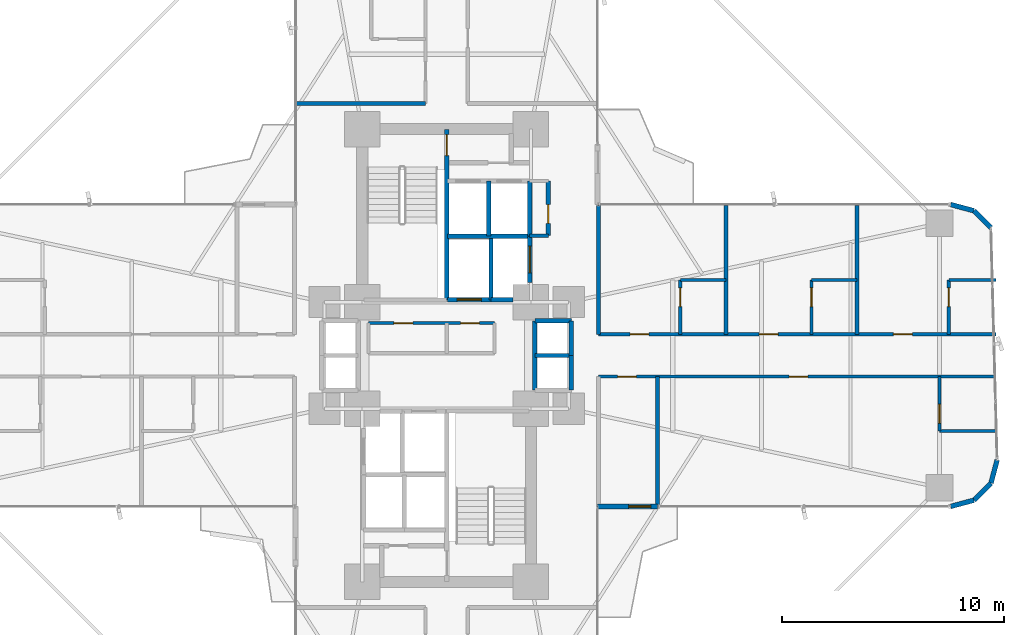
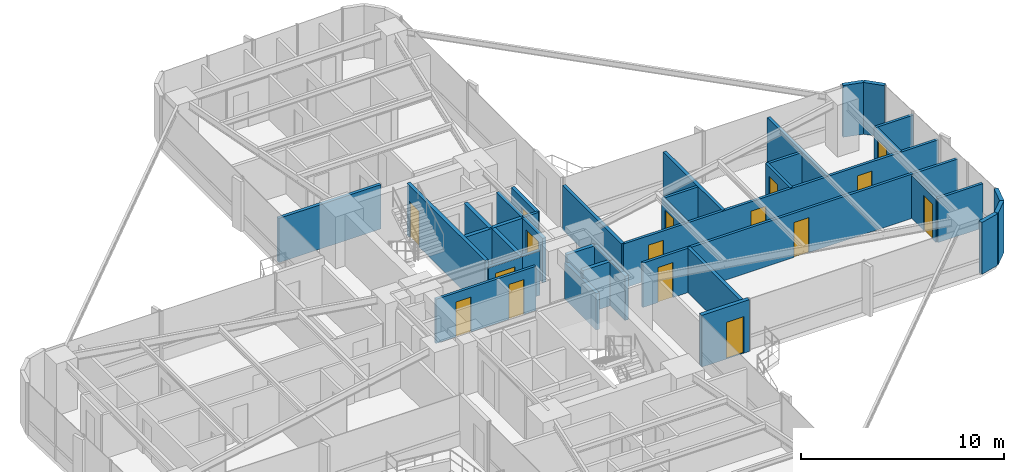
# One storey, part 23 of 26: 37 walls, 16 doors, 16 openings.
"""IFC4 building model written with IfcOpenShell, lengths in metres."""

from ifc_helpers import new_model, si_unit, direction, frame, frame_2d, origin, origin_2d, place, context, subcontext, project, spatial, rectangle, extrude, source, transform, mapped, material, layer, layer_set, type_object, element, fill, save


model = new_model("IFC4")

# Units and contexts
model_context = context("Model", 3, precision=1e-05, world=origin(), true_north=direction((0.0, 1.0)))
body_context = subcontext(model_context, "Body", "Model", "MODEL_VIEW")
ifc_project = project(units=[si_unit("LENGTHUNIT", "METRE"), si_unit("AREAUNIT", "SQUARE_METRE"), si_unit("VOLUMEUNIT", "CUBIC_METRE"), si_unit("PLANEANGLEUNIT", "RADIAN"), si_unit("MASSUNIT", "GRAM", prefix="KILO")], contexts=[model_context])

# Site, building, storey
site_placement = place(None, origin())
site = spatial("IfcSite", under=ifc_project, at=site_placement, CompositionType="ELEMENT")
building_placement = place(site_placement, origin())
building = spatial("IfcBuilding", under=site, at=building_placement, Name="Sahyath Konkavel Grand Hotel", CompositionType="ELEMENT")
storey_placement = place(building_placement, frame((0.0, 0.0, 26.449951171875)))
storey = spatial("IfcBuildingStorey", under=building, at=storey_placement, Name="L06", CompositionType="ELEMENT", Elevation=26.449951171875)

# Wall, opening, door
ifc_material_1 = material(Name="Warm Buff Sandstone Insulated Concrete C40/50", Category="masonry")
ifc_layer_1 = layer(ifc_material_1, 0.219970703125)
ifc_layer_set_1 = layer_set([ifc_layer_1], Name="Warm Buff Sandstone Insulated Concrete C40/50")
wall_type_1 = type_object("IfcWallType", Name="WLL-BALC-THRESH", PredefinedType="STANDARD", material=ifc_layer_set_1)
wall_1_placement = place(storey_placement, frame((6.800048828125, -6.800048828125, 0.0), z_axis=(0.0, 0.0, 1.0), x_axis=(1.0, 0.0, 0.0)))
wall_1 = element("IfcWall", 1, at=wall_1_placement, inside=storey, type_object=wall_type_1, Name="L06 Winter-Garden Threshold Wall 0", PredefinedType="STANDARD", context=body_context, shape_type="SweptSolid", body=[
    extrude(rectangle(XDim=2.699951171875, YDim=0.219970703125, at=frame_2d((1.35009765625, 0.0))), origin(), (0.0, 0.0, 1.0), 3.110107421875),
])
opening_1_placement = place(wall_1_placement, frame((1.39990234375, 0.0, 0.0)))
opening_1 = element("IfcOpeningElement", 2, at=opening_1_placement, cuts=wall_1, Name="Opening D-TR1", PredefinedType="OPENING", context=body_context, shape_type="SweptSolid", body=[
    extrude(rectangle(XDim=1.0, YDim=2.199951171875, at=frame_2d((0.5, 1.10009765625))), frame((0.0, 0.1201171875, 0.0), z_axis=(0.0, -1.0, 0.0), x_axis=(1.0, 0.0, 0.0)), (0.0, 0.0, 1.0), 0.239990234375),
])
ifc_material_2 = material(Name="Anodised Bronze Aluminium & Low-E Glazing", Category="aluminium")
door_type_1 = type_object("IfcDoorType", Name="DR-TERRACE-1000", OperationType="NOTDEFINED", PredefinedType="DOOR", material=ifc_material_2)
shared_shape_1 = source(origin(), body_context, "Body", "SweptSolid", [
    extrude(rectangle(XDim=1.0, YDim=0.050048828125, at=origin_2d()), origin(), (0.0, 0.0, 1.0), 2.199951171875),
])
door_1_placement = place(opening_1_placement, frame((0.5, 0.0, 0.0)))
door_1 = element("IfcDoor", 3, at=door_1_placement, inside=storey, type_object=door_type_1, Name="L06 Winter-Garden Terrace Door 0", OperationType="SINGLE_SWING_LEFT", OverallHeight=2.199951171875, OverallWidth=1.0, PredefinedType="DOOR", context=body_context, shape_type="MappedRepresentation", body=[
    mapped(shared_shape_1, transform((0.0, 0.0, 0.0), scale=1.0)),
])
fill(opening_1, door_1)

# Walls
for number, where, z_axis, x_axis, name in (
    (4, (22.699951171875, -6.800048828125, 0.0), (0.0, 0.0, 1.0), (0.965951058412, 0.25872485917, 0.0), "L06 Rounded Corner Sandstone Pier 1"),
    (5, (23.75, -6.518798828125, 0.0), (0.0, 0.0, 1.0), (0.707106781187, 0.707106781187, 0.0), "L06 Rounded Corner Sandstone Pier 2"),
    (6, (24.518798828125, -5.75, 0.0), (0.0, 0.0, 1.0), (0.25872485917, 0.965951058412, 0.0), "L06 Rounded Corner Sandstone Pier 3"),
    (7, (24.518798828125, 5.75, 0.0), (0.0, 0.0, 1.0), (-0.707106781187, 0.707106781187, 0.0), "L06 Rounded Corner Sandstone Pier 5"),
    (8, (23.75, 6.518798828125, 0.0), (0.0, 0.0, 1.0), (-0.965951058412, 0.25872485917, 0.0), "L06 Rounded Corner Sandstone Pier 6"),
):
    element("IfcWall", number, at=place(storey_placement, frame(where, z_axis=z_axis, x_axis=x_axis)), inside=storey, type_object=wall_type_1, Name=name, PredefinedType="STANDARD", context=body_context, shape_type="SweptSolid", body=[
        extrude(rectangle(XDim=1.087158203125, YDim=0.219970703125, at=frame_2d((0.54345703125, 0.0))), origin(), (0.0, 0.0, 1.0), 3.110107421875),
    ])

# Wall, opening, door
ifc_material_3 = material(Name="Concrete C40/50", Category="concrete")
ifc_layer_2 = layer(ifc_material_3, 0.199951171875)
ifc_layer_set_2 = layer_set([ifc_layer_2], Name="Concrete C40/50")
wall_type_2 = type_object("IfcWallType", Name="WLL-CORE-200", PredefinedType="SOLIDWALL", material=ifc_layer_set_2)
wall_2_placement = place(storey_placement, frame((0.0, 2.5, 0.0), z_axis=(0.0, 0.0, 1.0), x_axis=(0.0, 1.0, 0.0)))
wall_2 = element("IfcWall", 9, at=wall_2_placement, inside=storey, type_object=wall_type_2, Name="L06 Stair ST-1 Shaft Wall E", PredefinedType="SOLIDWALL", context=body_context, shape_type="SweptSolid", body=[
    extrude(rectangle(XDim=7.679931640625, YDim=0.199951171875, at=frame_2d((3.83984375, 0.0))), origin(), (0.0, 0.0, 1.0), 3.110107421875),
])
opening_2_placement = place(wall_2_placement, frame((6.5, 0.0, 0.0)))
opening_2 = element("IfcOpeningElement", 10, at=opening_2_placement, cuts=wall_2, Name="Opening D-F12C", PredefinedType="OPENING", context=body_context, shape_type="SweptSolid", body=[
    extrude(rectangle(XDim=0.949951171875, YDim=2.14990234375, at=frame_2d((0.47509765625, 1.074951171875))), frame((0.0, 0.10986328125, 0.0), z_axis=(0.0, -1.0, 0.0), x_axis=(1.0, 0.0, 0.0)), (0.0, 0.0, 1.0), 0.219970703125),
])
ifc_material_4 = material(Name="Steel E350 Plant Fire Door", Category="steel")
door_type_2 = type_object("IfcDoorType", Name="DR-FD120-950", OperationType="NOTDEFINED", PredefinedType="DOOR", material=ifc_material_4)
shared_shape_2 = source(origin(), body_context, "Body", "SweptSolid", [
    extrude(rectangle(XDim=0.949951171875, YDim=0.050048828125, at=origin_2d()), origin(), (0.0, 0.0, 1.0), 2.14990234375),
])
door_2_placement = place(opening_2_placement, frame((0.47509765625, 0.0, 0.0)))
door_2 = element("IfcDoor", 11, at=door_2_placement, inside=storey, type_object=door_type_2, Name="L06 Stair ST-1 Fire Door", OperationType="SINGLE_SWING_RIGHT", OverallHeight=2.14990234375, OverallWidth=0.949951171875, PredefinedType="DOOR", context=body_context, shape_type="MappedRepresentation", body=[
    mapped(shared_shape_2, transform((0.0, 0.0, 0.0), scale=1.0)),
])
fill(opening_2, door_2)

# Wall
wall_3_placement = place(storey_placement, frame((2.0, 2.5, 0.0), z_axis=(0.0, 0.0, 1.0), x_axis=(0.0, 1.0, 0.0)))
element("IfcWall", 12, at=wall_3_placement, inside=storey, type_object=wall_type_2, Name="L06 Partition SH-FFL1-E", PredefinedType="SOLIDWALL", context=body_context, shape_type="SweptSolid", body=[
    extrude(rectangle(XDim=2.780029296875, YDim=0.199951171875, at=frame_2d((1.39013671875, 0.0))), origin(), (0.0, 0.0, 1.0), 2.66015625),
])

# Wall, opening, door
wall_4_placement = place(storey_placement, frame((0.050048828125, 2.52001953125, 0.0), z_axis=(0.0, 0.0, 1.0), x_axis=(1.0, 0.0, 0.0)))
wall_4 = element("IfcWall", 13, at=wall_4_placement, inside=storey, type_object=wall_type_2, Name="L06 Partition SH-FFL1-S", PredefinedType="SOLIDWALL", context=body_context, shape_type="SweptSolid", body=[
    extrude(rectangle(XDim=1.949951171875, YDim=0.199951171875, at=frame_2d((0.97509765625, 0.0))), origin(), (0.0, 0.0, 1.0), 2.66015625),
])
opening_3_placement = place(wall_4_placement, frame((0.419921875, 0.0, 0.0)))
opening_3 = element("IfcOpeningElement", 14, at=opening_3_placement, cuts=wall_4, Name="Opening LD-11", PredefinedType="OPENING", context=body_context, shape_type="SweptSolid", body=[
    extrude(rectangle(XDim=1.10009765625, YDim=2.199951171875, at=frame_2d((0.550048828125, 1.10009765625))), frame((0.0, 0.10986328125, 0.0), z_axis=(0.0, -1.0, 0.0), x_axis=(1.0, 0.0, 0.0)), (0.0, 0.0, 1.0), 0.219970703125),
])
ifc_material_5 = material(Name="Bronze Lift Landing Door 1100")
door_type_3 = type_object("IfcDoorType", Name="DR-LIFT-1100", OperationType="DOUBLE_DOOR_SLIDING", PredefinedType="DOOR", material=ifc_material_5)
shared_shape_3 = source(origin(), body_context, "Body", "SweptSolid", [
    extrude(rectangle(XDim=1.10009765625, YDim=0.050048828125, at=origin_2d()), origin(), (0.0, 0.0, 1.0), 2.199951171875),
])
door_3_placement = place(opening_3_placement, frame((0.550048828125, 0.0, 0.0)))
door_3 = element("IfcDoor", 15, at=door_3_placement, inside=storey, type_object=door_type_3, Name="L06 Lift FFL-1 Landing Door", OperationType="DOUBLE_DOOR_SLIDING", OverallHeight=2.199951171875, OverallWidth=1.10009765625, PredefinedType="DOOR", context=body_context, shape_type="MappedRepresentation", body=[
    mapped(shared_shape_3, transform((0.0, 0.0, 0.0), scale=1.0)),
])
fill(opening_3, door_3)

# Wall
wall_5_placement = place(storey_placement, frame((2.0, 2.52001953125, 0.0), z_axis=(0.0, 0.0, 1.0), x_axis=(1.0, 0.0, 0.0)))
element("IfcWall", 16, at=wall_5_placement, inside=storey, type_object=wall_type_2, Name="L06 Partition SH-SVL1-S", PredefinedType="SOLIDWALL", context=body_context, shape_type="SweptSolid", body=[
    extrude(rectangle(XDim=1.0, YDim=0.199951171875, at=frame_2d((0.5, 0.0))), origin(), (0.0, 0.0, 1.0), 2.66015625),
])

# Wall, opening, door
wall_6_placement = place(storey_placement, frame((3.739990234375, 3.280029296875, 0.0), z_axis=(0.0, 0.0, 1.0), x_axis=(0.0, 1.0, 0.0)))
wall_6 = element("IfcWall", 17, at=wall_6_placement, inside=storey, type_object=wall_type_2, Name="L06 Partition SH-SVL1-E", PredefinedType="SOLIDWALL", context=body_context, shape_type="SweptSolid", body=[
    extrude(rectangle(XDim=2.080078125, YDim=0.199951171875, at=frame_2d((1.0400390625, 0.0))), origin(), (0.0, 0.0, 1.0), 2.66015625),
])
opening_4_placement = place(wall_6_placement, frame((0.43994140625, 0.0, 0.0)))
opening_4 = element("IfcOpeningElement", 18, at=opening_4_placement, cuts=wall_6, Name="Opening LD-12", PredefinedType="OPENING", context=body_context, shape_type="SweptSolid", body=[
    extrude(rectangle(XDim=1.199951171875, YDim=2.199951171875, at=frame_2d((0.60009765625, 1.10009765625))), frame((0.0, 0.10986328125, 0.0), z_axis=(0.0, -1.0, 0.0), x_axis=(1.0, 0.0, 0.0)), (0.0, 0.0, 1.0), 0.219970703125),
])
ifc_material_6 = material(Name="Stainless Steel Lift Landing Door 1200", Category="steel")
door_type_4 = type_object("IfcDoorType", Name="DR-LIFT-1200", OperationType="DOUBLE_DOOR_SLIDING", PredefinedType="DOOR", material=ifc_material_6)
shared_shape_4 = source(origin(), body_context, "Body", "SweptSolid", [
    extrude(rectangle(XDim=1.199951171875, YDim=0.050048828125, at=origin_2d()), origin(), (0.0, 0.0, 1.0), 2.199951171875),
])
door_4_placement = place(opening_4_placement, frame((0.60009765625, 0.0, 0.0)))
door_4 = element("IfcDoor", 19, at=door_4_placement, inside=storey, type_object=door_type_4, Name="L06 Service Lift SVL-1 Landing Door", OperationType="DOUBLE_DOOR_SLIDING", OverallHeight=2.199951171875, OverallWidth=1.199951171875, PredefinedType="DOOR", context=body_context, shape_type="MappedRepresentation", body=[
    mapped(shared_shape_4, transform((0.0, 0.0, 0.0), scale=1.0)),
])
fill(opening_4, door_4)

# Walls
wall_7_placement = place(storey_placement, frame((0.050048828125, 5.3798828125, 0.0), z_axis=(0.0, 0.0, 1.0), x_axis=(1.0, 0.0, 0.0)))
element("IfcWall", 20, at=wall_7_placement, inside=storey, type_object=wall_type_2, Name="L06 Partition SH-PL12-S", PredefinedType="SOLIDWALL", context=body_context, shape_type="SweptSolid", body=[
    extrude(rectangle(XDim=3.68994140625, YDim=0.199951171875, at=frame_2d((1.844970703125, 0.0))), origin(), (0.0, 0.0, 1.0), 2.66015625),
])
for number, where, z_axis, x_axis, name in (
    (21, (1.89990234375, 5.3798828125, 0.0), (0.0, 0.0, 1.0), (0.0, 1.0, 0.0), "L06 Partition SH-PL12-M"),
    (22, (3.739990234375, 5.3798828125, 0.0), (0.0, 0.0, 1.0), (0.0, 1.0, 0.0), "L06 Partition SH-PL2-E"),
):
    element("IfcWall", number, at=place(storey_placement, frame(where, z_axis=z_axis, x_axis=x_axis)), inside=storey, type_object=wall_type_2, Name=name, PredefinedType="SOLIDWALL", context=body_context, shape_type="SweptSolid", body=[
        extrude(rectangle(XDim=2.480224609375, YDim=0.199951171875, at=frame_2d((1.240234375, 0.0))), origin(), (0.0, 0.0, 1.0), 2.66015625),
    ])
wall_8_placement = place(storey_placement, frame((3.97998046875, -1.56005859375, 0.0), z_axis=(0.0, 0.0, 1.0), x_axis=(0.0, 1.0, 0.0)))
element("IfcWall", 23, at=wall_8_placement, inside=storey, type_object=wall_type_2, Name="L06 Partition SH-PL56-W", PredefinedType="SOLIDWALL", context=body_context, shape_type="SweptSolid", body=[
    extrude(rectangle(XDim=3.1201171875, YDim=0.199951171875, at=frame_2d((1.56005859375, 0.0))), origin(), (0.0, 0.0, 1.0), 2.179931640625),
])
for number, where, z_axis, x_axis, name in (
    (24, (3.97998046875, 1.56005859375, 0.0), (0.0, 0.0, 1.0), (1.0, 0.0, 0.0), "L06 Partition SH-PL56-N"),
    (25, (3.97998046875, 0.0, 0.0), (0.0, 0.0, 1.0), (1.0, 0.0, 0.0), "L06 Partition SH-PL56-M"),
):
    element("IfcWall", number, at=place(storey_placement, frame(where, z_axis=z_axis, x_axis=x_axis)), inside=storey, type_object=wall_type_2, Name=name, PredefinedType="SOLIDWALL", context=body_context, shape_type="SweptSolid", body=[
        extrude(rectangle(XDim=1.64013671875, YDim=0.199951171875, at=frame_2d((0.820068359375, 0.0))), origin(), (0.0, 0.0, 1.0), 2.66015625),
    ])
for number, where, z_axis, x_axis, name in (
    (26, (5.6201171875, 0.0, 0.0), (0.0, 0.0, 1.0), (0.0, 1.0, 0.0), "L06 Partition SH-PL5-E"),
    (27, (5.6201171875, -1.56005859375, 0.0), (0.0, 0.0, 1.0), (0.0, 1.0, 0.0), "L06 Partition SH-PL6-E"),
):
    element("IfcWall", number, at=place(storey_placement, frame(where, z_axis=z_axis, x_axis=x_axis)), inside=storey, type_object=wall_type_2, Name=name, PredefinedType="SOLIDWALL", context=body_context, shape_type="SweptSolid", body=[
        extrude(rectangle(XDim=1.56005859375, YDim=0.199951171875, at=frame_2d((0.780029296875, 0.0))), origin(), (0.0, 0.0, 1.0), 2.66015625),
    ])

# Wall, opening, door
wall_9_placement = place(storey_placement, frame((4.580078125, 5.39990234375, 0.0), z_axis=(0.0, 0.0, 1.0), x_axis=(0.0, 1.0, 0.0)))
wall_9 = element("IfcWall", 28, at=wall_9_placement, inside=storey, type_object=wall_type_2, Name="L06 Partition NC-FLK-E", PredefinedType="SOLIDWALL", context=body_context, shape_type="SweptSolid", body=[
    extrude(rectangle(XDim=2.460205078125, YDim=0.199951171875, at=frame_2d((1.22998046875, 0.0))), origin(), (0.0, 0.0, 1.0), 2.66015625),
])
opening_5_placement = place(wall_9_placement, frame((0.550048828125, 0.0, 0.0)))
opening_5 = element("IfcOpeningElement", 29, at=opening_5_placement, cuts=wall_9, Name="Opening D-F06D", PredefinedType="OPENING", context=body_context, shape_type="SweptSolid", body=[
    extrude(rectangle(XDim=0.85009765625, YDim=2.10009765625, at=frame_2d((0.425048828125, 1.050048828125))), frame((0.0, 0.10986328125, 0.0), z_axis=(0.0, -1.0, 0.0), x_axis=(1.0, 0.0, 0.0)), (0.0, 0.0, 1.0), 0.219970703125),
])
ifc_material_7 = material(Name="Fire-Rated Shaft Access Door")
door_type_5 = type_object("IfcDoorType", Name="DR-FD60-850", OperationType="NOTDEFINED", PredefinedType="DOOR", material=ifc_material_7)
shared_shape_5 = source(origin(), body_context, "Body", "SweptSolid", [
    extrude(rectangle(XDim=0.85009765625, YDim=0.050048828125, at=origin_2d()), origin(), (0.0, 0.0, 1.0), 2.10009765625),
])
door_5_placement = place(opening_5_placement, frame((0.425048828125, 0.0, 0.0)))
door_5 = element("IfcDoor", 30, at=door_5_placement, inside=storey, type_object=door_type_5, Name="L06 Door NC-FLK1-D", OperationType="SINGLE_SWING_RIGHT", OverallHeight=2.10009765625, OverallWidth=0.85009765625, PredefinedType="DOOR", context=body_context, shape_type="MappedRepresentation", body=[
    mapped(shared_shape_5, transform((0.0, 0.0, 0.0), scale=1.0)),
])
fill(opening_5, door_5)

# Walls
ifc_material_8 = material(Name="Twin-Stud Acoustic Gypsum Plasterboard Partition")
ifc_layer_3 = layer(ifc_material_8, 0.179931640625)
ifc_layer_set_3 = layer_set([ifc_layer_3], Name="Twin-Stud Acoustic Gypsum Plasterboard Partition")
wall_type_3 = type_object("IfcWallType", Name="WLL-DEMISE-180", PredefinedType="PARTITIONING", material=ifc_layer_set_3)
for number, where, z_axis, x_axis, name in (
    (31, (6.85009765625, 0.949951171875, 0.0), (0.0, 0.0, 1.0), (0.0, 1.0, 0.0), "L06 Partition E-INL"),
    (32, (12.577880859375, 0.949951171875, 0.0), (0.0, 0.0, 1.0), (0.0, 1.0, 0.0), "L06 Partition E-E1L-DEM"),
    (33, (18.485107421875, 0.949951171875, 0.0), (0.0, 0.0, 1.0), (0.0, 1.0, 0.0), "L06 Partition E-E2L-DEM"),
    (34, (9.5, -0.949951171875, 0.0), (0.0, 0.0, 1.0), (0.0, -1.0, 0.0), "L06 Partition E-EHK-DEM"),
    (35, (-0.949951171875, 11.35009765625, 0.0), (0.0, 0.0, 1.0), (-1.0, 0.0, 0.0), "L06 Partition N-INL"),
):
    element("IfcWall", number, at=place(storey_placement, frame(where, z_axis=z_axis, x_axis=x_axis)), inside=storey, type_object=wall_type_3, Name=name, PredefinedType="PARTITIONING", context=body_context, shape_type="SweptSolid", body=[
        extrude(rectangle(XDim=5.800048828125, YDim=0.179931640625, at=frame_2d((2.89990234375, 0.0))), origin(), (0.0, 0.0, 1.0), 2.66015625),
    ])
ifc_material_9 = material(Name="Fire-Rated Gypsum Plasterboard Partition")
ifc_layer_4 = layer(ifc_material_9, 0.14990234375)
ifc_layer_set_4 = layer_set([ifc_layer_4], Name="Fire-Rated Gypsum Plasterboard Partition")
wall_type_4 = type_object("IfcWallType", Name="WLL-PART-150", PredefinedType="PARTITIONING", material=ifc_layer_set_4)
wall_10_placement = place(storey_placement, frame((3.739990234375, 5.39990234375, 0.0), z_axis=(0.0, 0.0, 1.0), x_axis=(1.0, 0.0, 0.0)))
element("IfcWall", 36, at=wall_10_placement, inside=storey, type_object=wall_type_4, Name="L06 Partition NC-FLK-S", PredefinedType="PARTITIONING", context=body_context, shape_type="SweptSolid", body=[
    extrude(rectangle(XDim=0.840087890625, YDim=0.14990234375, at=frame_2d((0.419921875, 0.0))), origin(), (0.0, 0.0, 1.0), 2.66015625),
])

# Wall, openings, doors
wall_11_placement = place(storey_placement, frame((-3.52001953125, 1.4599609375, 0.0), z_axis=(0.0, 0.0, 1.0), x_axis=(1.0, 0.0, 0.0)))
wall_11 = element("IfcWall", 37, at=wall_11_placement, inside=storey, type_object=wall_type_4, Name="L06 Partition CC-N0", PredefinedType="PARTITIONING", context=body_context, shape_type="SweptSolid", body=[
    extrude(rectangle(XDim=5.679931640625, YDim=0.14990234375, at=frame_2d((2.83984375, 0.0))), origin(), (0.0, 0.0, 1.0), 2.66015625),
])
opening_6_placement = place(wall_11_placement, frame((1.14990234375, 0.0, 0.0)))
opening_6 = element("IfcOpeningElement", 38, at=opening_6_placement, cuts=wall_11, Name="Opening D-F06D", PredefinedType="OPENING", context=body_context, shape_type="SweptSolid", body=[
    extrude(rectangle(XDim=0.85009765625, YDim=2.10009765625, at=frame_2d((0.425048828125, 1.050048828125))), frame((0.0, 0.0849609375, 0.0), z_axis=(0.0, -1.0, 0.0), x_axis=(1.0, 0.0, 0.0)), (0.0, 0.0, 1.0), 0.169921875),
])
opening_7_placement = place(wall_11_placement, frame((4.14990234375, 0.0, 0.0)))
opening_7 = element("IfcOpeningElement", 39, at=opening_7_placement, cuts=wall_11, Name="Opening D-F06D", PredefinedType="OPENING", context=body_context, shape_type="SweptSolid", body=[
    extrude(rectangle(XDim=0.85009765625, YDim=2.10009765625, at=frame_2d((0.425048828125, 1.050048828125))), frame((0.0, 0.0849609375, 0.0), z_axis=(0.0, -1.0, 0.0), x_axis=(1.0, 0.0, 0.0)), (0.0, 0.0, 1.0), 0.169921875),
])
door_6_placement = place(opening_6_placement, frame((0.425048828125, 0.0, 0.0)))
door_6 = element("IfcDoor", 40, at=door_6_placement, inside=storey, type_object=door_type_5, Name="L06 Door CC-D0A", OperationType="SINGLE_SWING_LEFT", OverallHeight=2.10009765625, OverallWidth=0.85009765625, PredefinedType="DOOR", context=body_context, shape_type="MappedRepresentation", body=[
    mapped(shared_shape_5, transform((0.0, 0.0, 0.0), scale=1.0)),
])
fill(opening_6, door_6)
door_7_placement = place(opening_7_placement, frame((0.425048828125, 0.0, 0.0)))
door_7 = element("IfcDoor", 41, at=door_7_placement, inside=storey, type_object=door_type_5, Name="L06 Door CC-D0B", OperationType="SINGLE_SWING_RIGHT", OverallHeight=2.10009765625, OverallWidth=0.85009765625, PredefinedType="DOOR", context=body_context, shape_type="MappedRepresentation", body=[
    mapped(shared_shape_5, transform((0.0, 0.0, 0.0), scale=1.0)),
])
fill(opening_7, door_7)

wall_12_placement = place(storey_placement, frame((6.85009765625, 0.949951171875, 0.0), z_axis=(0.0, 0.0, 1.0), x_axis=(1.0, 0.0, 0.0)))
wall_12 = element("IfcWall", 42, at=wall_12_placement, inside=storey, type_object=wall_type_4, Name="L06 Partition E-CL", PredefinedType="PARTITIONING", context=body_context, shape_type="SweptSolid", body=[
    extrude(rectangle(XDim=17.89990234375, YDim=0.14990234375, at=frame_2d((8.949951171875, 0.0))), origin(), (0.0, 0.0, 1.0), 2.66015625),
])
opening_8_placement = place(wall_12_placement, frame((1.4140625, 0.0, 0.0)))
opening_8 = element("IfcOpeningElement", 43, at=opening_8_placement, cuts=wall_12, Name="Opening D-F06D", PredefinedType="OPENING", context=body_context, shape_type="SweptSolid", body=[
    extrude(rectangle(XDim=0.85009765625, YDim=2.10009765625, at=frame_2d((0.425048828125, 1.050048828125))), frame((0.0, 0.0849609375, 0.0), z_axis=(0.0, -1.0, 0.0), x_axis=(1.0, 0.0, 0.0)), (0.0, 0.0, 1.0), 0.169921875),
])
opening_9_placement = place(wall_12_placement, frame((7.23095703125, 0.0, 0.0)))
opening_9 = element("IfcOpeningElement", 44, at=opening_9_placement, cuts=wall_12, Name="Opening D-F06D", PredefinedType="OPENING", context=body_context, shape_type="SweptSolid", body=[
    extrude(rectangle(XDim=0.85009765625, YDim=2.10009765625, at=frame_2d((0.425048828125, 1.050048828125))), frame((0.0, 0.0849609375, 0.0), z_axis=(0.0, -1.0, 0.0), x_axis=(1.0, 0.0, 0.0)), (0.0, 0.0, 1.0), 0.169921875),
])
opening_10_placement = place(wall_12_placement, frame((13.278076171875, 0.0, 0.0)))
opening_10 = element("IfcOpeningElement", 45, at=opening_10_placement, cuts=wall_12, Name="Opening D-F06D", PredefinedType="OPENING", context=body_context, shape_type="SweptSolid", body=[
    extrude(rectangle(XDim=0.85009765625, YDim=2.10009765625, at=frame_2d((0.425048828125, 1.050048828125))), frame((0.0, 0.0849609375, 0.0), z_axis=(0.0, -1.0, 0.0), x_axis=(1.0, 0.0, 0.0)), (0.0, 0.0, 1.0), 0.169921875),
])
door_8_placement = place(opening_8_placement, frame((0.425048828125, 0.0, 0.0)))
door_8 = element("IfcDoor", 46, at=door_8_placement, inside=storey, type_object=door_type_5, Name="L06 Door E-E1L-ED", OperationType="SINGLE_SWING_RIGHT", OverallHeight=2.10009765625, OverallWidth=0.85009765625, PredefinedType="DOOR", context=body_context, shape_type="MappedRepresentation", body=[
    mapped(shared_shape_5, transform((0.0, 0.0, 0.0), scale=1.0)),
])
fill(opening_8, door_8)
door_9_placement = place(opening_9_placement, frame((0.425048828125, 0.0, 0.0)))
door_9 = element("IfcDoor", 47, at=door_9_placement, inside=storey, type_object=door_type_5, Name="L06 Door E-E2L-ED", OperationType="SINGLE_SWING_RIGHT", OverallHeight=2.10009765625, OverallWidth=0.85009765625, PredefinedType="DOOR", context=body_context, shape_type="MappedRepresentation", body=[
    mapped(shared_shape_5, transform((0.0, 0.0, 0.0), scale=1.0)),
])
fill(opening_9, door_9)
door_10_placement = place(opening_10_placement, frame((0.425048828125, 0.0, 0.0)))
door_10 = element("IfcDoor", 48, at=door_10_placement, inside=storey, type_object=door_type_5, Name="L06 Door E-E3L-ED", OperationType="SINGLE_SWING_RIGHT", OverallHeight=2.10009765625, OverallWidth=0.85009765625, PredefinedType="DOOR", context=body_context, shape_type="MappedRepresentation", body=[
    mapped(shared_shape_5, transform((0.0, 0.0, 0.0), scale=1.0)),
])
fill(opening_10, door_10)

wall_13_placement = place(storey_placement, frame((6.85009765625, -0.949951171875, 0.0), z_axis=(0.0, 0.0, 1.0), x_axis=(1.0, 0.0, 0.0)))
wall_13 = element("IfcWall", 49, at=wall_13_placement, inside=storey, type_object=wall_type_4, Name="L06 Partition E-CR", PredefinedType="PARTITIONING", context=body_context, shape_type="SweptSolid", body=[
    extrude(rectangle(XDim=17.89990234375, YDim=0.14990234375, at=frame_2d((8.949951171875, 0.0))), origin(), (0.0, 0.0, 1.0), 2.66015625),
])
opening_11_placement = place(wall_13_placement, frame((0.85009765625, 0.0, 0.0)))
opening_11 = element("IfcOpeningElement", 50, at=opening_11_placement, cuts=wall_13, Name="Opening D-F06D", PredefinedType="OPENING", context=body_context, shape_type="SweptSolid", body=[
    extrude(rectangle(XDim=0.85009765625, YDim=2.10009765625, at=frame_2d((0.425048828125, 1.050048828125))), frame((0.0, 0.0849609375, 0.0), z_axis=(0.0, -1.0, 0.0), x_axis=(1.0, 0.0, 0.0)), (0.0, 0.0, 1.0), 0.169921875),
])
opening_12_placement = place(wall_13_placement, frame((8.574951171875, 0.0, 0.0)))
opening_12 = element("IfcOpeningElement", 51, at=opening_12_placement, cuts=wall_13, Name="Opening D-F06D", PredefinedType="OPENING", context=body_context, shape_type="SweptSolid", body=[
    extrude(rectangle(XDim=0.85009765625, YDim=2.10009765625, at=frame_2d((0.425048828125, 1.050048828125))), frame((0.0, 0.0849609375, 0.0), z_axis=(0.0, -1.0, 0.0), x_axis=(1.0, 0.0, 0.0)), (0.0, 0.0, 1.0), 0.169921875),
])
door_11_placement = place(opening_11_placement, frame((0.425048828125, 0.0, 0.0)))
door_11 = element("IfcDoor", 52, at=door_11_placement, inside=storey, type_object=door_type_5, Name="L06 Door E-EHK-D", OperationType="SINGLE_SWING_LEFT", OverallHeight=2.10009765625, OverallWidth=0.85009765625, PredefinedType="DOOR", context=body_context, shape_type="MappedRepresentation", body=[
    mapped(shared_shape_5, transform((0.0, 0.0, 0.0), scale=1.0)),
])
fill(opening_11, door_11)
door_12_placement = place(opening_12_placement, frame((0.425048828125, 0.0, 0.0)))
door_12 = element("IfcDoor", 53, at=door_12_placement, inside=storey, type_object=door_type_5, Name="L06 Door E-E2R-ED", OperationType="SINGLE_SWING_LEFT", OverallHeight=2.10009765625, OverallWidth=0.85009765625, PredefinedType="DOOR", context=body_context, shape_type="MappedRepresentation", body=[
    mapped(shared_shape_5, transform((0.0, 0.0, 0.0), scale=1.0)),
])
fill(opening_12, door_12)

# Wall, opening, door
wall_14_placement = place(storey_placement, frame((10.528076171875, 0.949951171875, 0.0), z_axis=(0.0, 0.0, 1.0), x_axis=(0.0, 1.0, 0.0)))
wall_14 = element("IfcWall", 54, at=wall_14_placement, inside=storey, type_object=wall_type_4, Name="L06 Partition E-E1L-BS", PredefinedType="PARTITIONING", context=body_context, shape_type="SweptSolid", body=[
    extrude(rectangle(XDim=2.449951171875, YDim=0.14990234375, at=frame_2d((1.22509765625, 0.0))), origin(), (0.0, 0.0, 1.0), 2.66015625),
])
opening_13_placement = place(wall_14_placement, frame((1.25, 0.0, 0.0)))
opening_13 = element("IfcOpeningElement", 55, at=opening_13_placement, cuts=wall_14, Name="Opening D-BT85", PredefinedType="OPENING", context=body_context, shape_type="SweptSolid", body=[
    extrude(rectangle(XDim=0.85009765625, YDim=2.10009765625, at=frame_2d((0.425048828125, 1.050048828125))), frame((0.0, 0.0849609375, 0.0), z_axis=(0.0, -1.0, 0.0), x_axis=(1.0, 0.0, 0.0)), (0.0, 0.0, 1.0), 0.169921875),
])
ifc_material_10 = material(Name="Moisture-Resistant Teak Bathroom Door")
door_type_6 = type_object("IfcDoorType", Name="DR-BATH-850", OperationType="NOTDEFINED", PredefinedType="DOOR", material=ifc_material_10)
door_13_placement = place(opening_13_placement, frame((0.425048828125, 0.0, 0.0)))
door_13 = element("IfcDoor", 56, at=door_13_placement, inside=storey, type_object=door_type_6, Name="L06 Door E-E1L-BD", OperationType="SINGLE_SWING_LEFT", OverallHeight=2.10009765625, OverallWidth=0.85009765625, PredefinedType="DOOR", context=body_context, shape_type="MappedRepresentation", body=[
    mapped(shared_shape_5, transform((0.0, 0.0, 0.0), scale=1.0)),
])
fill(opening_13, door_13)

# Wall
wall_15_placement = place(storey_placement, frame((10.528076171875, 3.39990234375, 0.0), z_axis=(0.0, 0.0, 1.0), x_axis=(1.0, 0.0, 0.0)))
element("IfcWall", 57, at=wall_15_placement, inside=storey, type_object=wall_type_4, Name="L06 Partition E-E1L-BF", PredefinedType="PARTITIONING", context=body_context, shape_type="SweptSolid", body=[
    extrude(rectangle(XDim=2.0498046875, YDim=0.14990234375, at=frame_2d((1.02490234375, 0.0))), origin(), (0.0, 0.0, 1.0), 2.630126953125),
])

# Wall, opening, door
wall_16_placement = place(storey_placement, frame((16.43505859375, 0.949951171875, 0.0), z_axis=(0.0, 0.0, 1.0), x_axis=(0.0, 1.0, 0.0)))
wall_16 = element("IfcWall", 58, at=wall_16_placement, inside=storey, type_object=wall_type_4, Name="L06 Partition E-E2L-BS", PredefinedType="PARTITIONING", context=body_context, shape_type="SweptSolid", body=[
    extrude(rectangle(XDim=2.449951171875, YDim=0.14990234375, at=frame_2d((1.22509765625, 0.0))), origin(), (0.0, 0.0, 1.0), 2.66015625),
])
opening_14_placement = place(wall_16_placement, frame((1.25, 0.0, 0.0)))
opening_14 = element("IfcOpeningElement", 59, at=opening_14_placement, cuts=wall_16, Name="Opening D-BT85", PredefinedType="OPENING", context=body_context, shape_type="SweptSolid", body=[
    extrude(rectangle(XDim=0.85009765625, YDim=2.10009765625, at=frame_2d((0.425048828125, 1.050048828125))), frame((0.0, 0.0849609375, 0.0), z_axis=(0.0, -1.0, 0.0), x_axis=(1.0, 0.0, 0.0)), (0.0, 0.0, 1.0), 0.169921875),
])
door_14_placement = place(opening_14_placement, frame((0.425048828125, 0.0, 0.0)))
door_14 = element("IfcDoor", 60, at=door_14_placement, inside=storey, type_object=door_type_6, Name="L06 Door E-E2L-BD", OperationType="SINGLE_SWING_LEFT", OverallHeight=2.10009765625, OverallWidth=0.85009765625, PredefinedType="DOOR", context=body_context, shape_type="MappedRepresentation", body=[
    mapped(shared_shape_5, transform((0.0, 0.0, 0.0), scale=1.0)),
])
fill(opening_14, door_14)

# Wall
wall_17_placement = place(storey_placement, frame((16.43505859375, 3.39990234375, 0.0), z_axis=(0.0, 0.0, 1.0), x_axis=(1.0, 0.0, 0.0)))
element("IfcWall", 61, at=wall_17_placement, inside=storey, type_object=wall_type_4, Name="L06 Partition E-E2L-BF", PredefinedType="PARTITIONING", context=body_context, shape_type="SweptSolid", body=[
    extrude(rectangle(XDim=2.050048828125, YDim=0.14990234375, at=frame_2d((1.02490234375, 0.0))), origin(), (0.0, 0.0, 1.0), 2.630126953125),
])

# Wall, opening, door
wall_18_placement = place(storey_placement, frame((22.6201171875, 0.949951171875, 0.0), z_axis=(0.0, 0.0, 1.0), x_axis=(0.0, 1.0, 0.0)))
wall_18 = element("IfcWall", 62, at=wall_18_placement, inside=storey, type_object=wall_type_4, Name="L06 Partition E-E3L-BS", PredefinedType="PARTITIONING", context=body_context, shape_type="SweptSolid", body=[
    extrude(rectangle(XDim=2.449951171875, YDim=0.14990234375, at=frame_2d((1.22509765625, 0.0))), origin(), (0.0, 0.0, 1.0), 2.66015625),
])
opening_15_placement = place(wall_18_placement, frame((1.25, 0.0, 0.0)))
opening_15 = element("IfcOpeningElement", 63, at=opening_15_placement, cuts=wall_18, Name="Opening D-BT85", PredefinedType="OPENING", context=body_context, shape_type="SweptSolid", body=[
    extrude(rectangle(XDim=0.85009765625, YDim=2.10009765625, at=frame_2d((0.425048828125, 1.050048828125))), frame((0.0, 0.0849609375, 0.0), z_axis=(0.0, -1.0, 0.0), x_axis=(1.0, 0.0, 0.0)), (0.0, 0.0, 1.0), 0.169921875),
])
door_15_placement = place(opening_15_placement, frame((0.425048828125, 0.0, 0.0)))
door_15 = element("IfcDoor", 64, at=door_15_placement, inside=storey, type_object=door_type_6, Name="L06 Door E-E3L-BD", OperationType="SINGLE_SWING_LEFT", OverallHeight=2.10009765625, OverallWidth=0.85009765625, PredefinedType="DOOR", context=body_context, shape_type="MappedRepresentation", body=[
    mapped(shared_shape_5, transform((0.0, 0.0, 0.0), scale=1.0)),
])
fill(opening_15, door_15)

# Wall
wall_19_placement = place(storey_placement, frame((22.6201171875, 3.39990234375, 0.0), z_axis=(0.0, 0.0, 1.0), x_axis=(1.0, 0.0, 0.0)))
element("IfcWall", 65, at=wall_19_placement, inside=storey, type_object=wall_type_4, Name="L06 Partition E-E3L-BF", PredefinedType="PARTITIONING", context=body_context, shape_type="SweptSolid", body=[
    extrude(rectangle(XDim=2.1298828125, YDim=0.14990234375, at=frame_2d((1.06494140625, 0.0))), origin(), (0.0, 0.0, 1.0), 2.66015625),
])

# Wall, opening, door
wall_20_placement = place(storey_placement, frame((22.199951171875, -0.949951171875, 0.0), z_axis=(0.0, 0.0, 1.0), x_axis=(0.0, -1.0, 0.0)))
wall_20 = element("IfcWall", 66, at=wall_20_placement, inside=storey, type_object=wall_type_4, Name="L06 Partition E-E2R-BS", PredefinedType="PARTITIONING", context=body_context, shape_type="SweptSolid", body=[
    extrude(rectangle(XDim=2.449951171875, YDim=0.14990234375, at=frame_2d((1.22509765625, 0.0))), origin(), (0.0, 0.0, 1.0), 2.580078125),
])
opening_16_placement = place(wall_20_placement, frame((1.25, 0.0, 0.0)))
opening_16 = element("IfcOpeningElement", 67, at=opening_16_placement, cuts=wall_20, Name="Opening D-BT85", PredefinedType="OPENING", context=body_context, shape_type="SweptSolid", body=[
    extrude(rectangle(XDim=0.85009765625, YDim=2.10009765625, at=frame_2d((0.425048828125, 1.050048828125))), frame((0.0, 0.0849609375, 0.0), z_axis=(0.0, -1.0, 0.0), x_axis=(1.0, 0.0, 0.0)), (0.0, 0.0, 1.0), 0.169921875),
])
door_16_placement = place(opening_16_placement, frame((0.425048828125, 0.0, 0.0)))
door_16 = element("IfcDoor", 68, at=door_16_placement, inside=storey, type_object=door_type_6, Name="L06 Door E-E2R-BD", OperationType="SINGLE_SWING_RIGHT", OverallHeight=2.10009765625, OverallWidth=0.85009765625, PredefinedType="DOOR", context=body_context, shape_type="MappedRepresentation", body=[
    mapped(shared_shape_5, transform((0.0, 0.0, 0.0), scale=1.0)),
])
fill(opening_16, door_16)

# Wall
wall_21_placement = place(storey_placement, frame((22.199951171875, -3.39990234375, 0.0), z_axis=(0.0, 0.0, 1.0), x_axis=(1.0, 0.0, 0.0)))
element("IfcWall", 69, at=wall_21_placement, inside=storey, type_object=wall_type_4, Name="L06 Partition E-E2R-BF", PredefinedType="PARTITIONING", context=body_context, shape_type="SweptSolid", body=[
    extrude(rectangle(XDim=2.550048828125, YDim=0.14990234375, at=frame_2d((1.27490234375, 0.0))), origin(), (0.0, 0.0, 1.0), 2.66015625),
])

save(model, "model.ifc")
